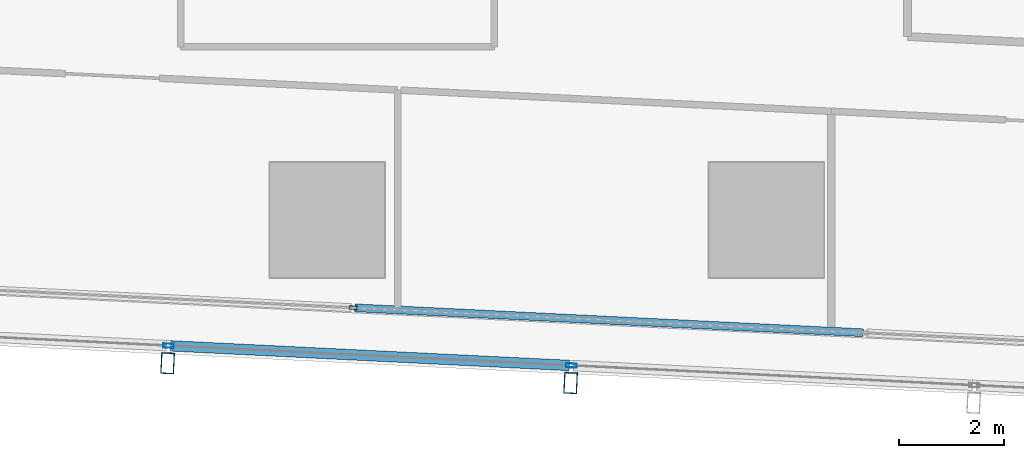
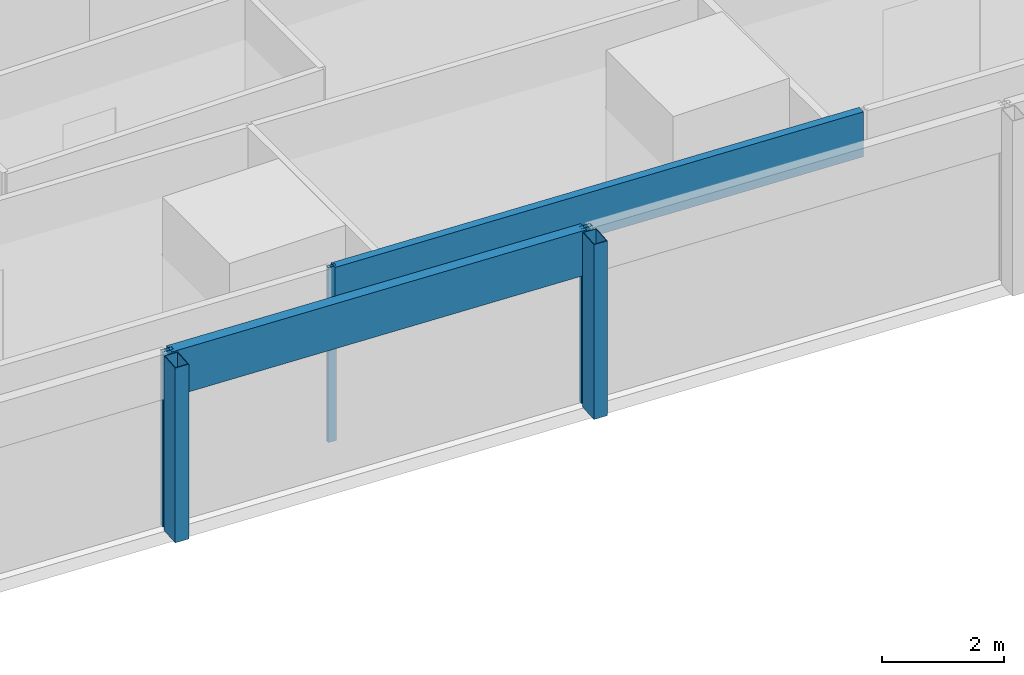
# One storey, part 5 of 45: 7 members, 2 elements without a shape of their own.
"""IFC4 building model written with IfcOpenShell, lengths in metres."""

from ifc_helpers import new_model, si_unit, direction, frame, origin, origin_2d, place, context, subcontext, project, spatial, hollow_rectangle, extrude, material, material_profile, profile_set, type_object, element, aggregate, save


model = new_model("IFC4")

# Units and contexts
model_context = context("Model", 3, precision=1e-05, world=origin(), true_north=direction((0.0, 1.0)))
body_context = subcontext(model_context, "Body", "Model", "MODEL_VIEW")
ifc_project = project(units=[si_unit("LENGTHUNIT", "METRE"), si_unit("AREAUNIT", "SQUARE_METRE"), si_unit("VOLUMEUNIT", "CUBIC_METRE"), si_unit("PLANEANGLEUNIT", "RADIAN"), si_unit("MASSUNIT", "GRAM", prefix="KILO")], contexts=[model_context])

# Site, building, storey
site_placement = place(None, origin())
site = spatial("IfcSite", under=ifc_project, at=site_placement, CompositionType="ELEMENT")
building_placement = place(site_placement, origin())
building = spatial("IfcBuilding", under=site, at=building_placement, Name="Rekha Terrace Tower", CompositionType="ELEMENT")
storey_placement = place(building_placement, frame((0.0, 0.0, 44.14990234375)))
storey = spatial("IfcBuildingStorey", under=building, at=storey_placement, Name="L10", CompositionType="ELEMENT", Elevation=44.14990234375)

# Curtain wall, members
ifc_material_1 = material(Name="Aluminium framing", Category="aluminium")
curtain_wall_type_1 = type_object("IfcCurtainWallType", Name="CW2 double skin outer glazing", PredefinedType="USERDEFINED", material=ifc_material_1)
curtain_wall_1_placement = place(storey_placement, origin())
curtain_wall_1 = element("IfcCurtainWall", 1, at=curtain_wall_1_placement, inside=storey, type_object=curtain_wall_type_1, Name="CW2 double skin outer glazing", ObjectType="DOUBLE SKIN OUTER GLAZING", PredefinedType="USERDEFINED")
ifc_material_2 = material(Name="Steel S355 with fluorocarbon finish", Category="steel")
ifc_material_profile_1 = material_profile(ifc_material_2, hollow_rectangle(XDim=0.25, YDim=0.39990234375, WallThickness=0.012451171875, at=origin_2d()), Name="RHS400x250x12.5")
ifc_profile_set_1 = profile_set([ifc_material_profile_1], Name="Steel S355 with fluorocarbon finish")
member_type_1 = type_object("IfcMemberType", Name="BL1 facade blade RHS 400 x 250", PredefinedType="USERDEFINED", material=ifc_profile_set_1)
member_1_placement = place(storey_placement, frame((22.14990234375, 5.6611328125, 0.0), z_axis=(0.0, 0.0, 1.0), x_axis=(0.998796226835, -0.049051985279, 0.0)))
member_1 = element("IfcMember", 2, at=member_1_placement, type_object=member_type_1, Name="Facade blade", ObjectType="FACADE BLADE", PredefinedType="USERDEFINED", context=body_context, shape_type="SweptSolid", body=[
    extrude(hollow_rectangle(XDim=0.25, YDim=0.39990234375, WallThickness=0.012451171875, at=origin_2d()), origin(), (0.0, 0.0, 1.0), 3.5),
])
member_2_placement = place(storey_placement, frame((29.856201171875, 5.28271484375, 0.0), z_axis=(0.0, 0.0, 1.0), x_axis=(0.998796226835, -0.049051985279, 0.0)))
member_2 = element("IfcMember", 3, at=member_2_placement, type_object=member_type_1, Name="Facade blade", ObjectType="FACADE BLADE", PredefinedType="USERDEFINED", context=body_context, shape_type="SweptSolid", body=[
    extrude(hollow_rectangle(XDim=0.25, YDim=0.39990234375, WallThickness=0.012451171875, at=origin_2d()), origin(), (0.0, 0.0, 1.0), 3.5),
])

curtain_wall_type_2 = type_object("IfcCurtainWallType", Name="CW1 double skin inner glazing", PredefinedType="USERDEFINED", material=ifc_material_1)
curtain_wall_2_placement = place(storey_placement, origin())
curtain_wall_2 = element("IfcCurtainWall", 4, at=curtain_wall_2_placement, inside=storey, type_object=curtain_wall_type_2, Name="CW1 double skin inner glazing", ObjectType="DOUBLE SKIN INNER GLAZING", PredefinedType="USERDEFINED")
ifc_material_3 = material(Name="Aluminium mullion section", Category="aluminium")
ifc_material_profile_2 = material_profile(ifc_material_3, hollow_rectangle(XDim=0.06494140625, YDim=0.14990234375, WallThickness=0.00390625, at=origin_2d()), Name="AL RHS 65x150")
ifc_profile_set_2 = profile_set([ifc_material_profile_2], Name="Aluminium mullion section")
member_type_2 = type_object("IfcMemberType", Name="CW1 mullion RHS 65 x 150", PredefinedType="MULLION", material=ifc_profile_set_2)
member_3_placement = place(storey_placement, frame((25.696044921875, 6.723388671875, 0.0), z_axis=(0.0, 0.0, 1.0), x_axis=(0.049051717746, 0.998796239974, 0.0)))
member_3 = element("IfcMember", 5, at=member_3_placement, type_object=member_type_2, Name="CW1 mullion 2", PredefinedType="MULLION", context=body_context, shape_type="SweptSolid", body=[
    extrude(hollow_rectangle(XDim=0.06494140625, YDim=0.14990234375, WallThickness=0.00390625, at=origin_2d()), origin(), (0.0, 0.0, 1.0), 3.5),
])
ifc_material_4 = material(Name="Insulated aluminium spandrel box", Category="aluminium")
ifc_material_profile_3 = material_profile(ifc_material_4, hollow_rectangle(XDim=0.14990234375, YDim=0.89990234375, WallThickness=0.0029296875, at=origin_2d()), Name="AL SPANDREL BOX 150x900")
ifc_profile_set_3 = profile_set([ifc_material_profile_3], Name="Insulated aluminium spandrel box")
member_type_3 = type_object("IfcMemberType", Name="CW1 spandrel transom 150 x 900", PredefinedType="USERDEFINED", material=ifc_profile_set_3)
member_4_placement = place(storey_placement, frame((25.728515625, 6.721923828125, 3.050048828125), z_axis=(0.998796042167, -0.049055745348, 0.0), x_axis=(0.049055745348, 0.998796042167, 0.0)))
member_4 = element("IfcMember", 6, at=member_4_placement, type_object=member_type_3, Name="CW1 spandrel transom 2", ObjectType="TRANSOM", PredefinedType="USERDEFINED", context=body_context, shape_type="SweptSolid", body=[
    extrude(hollow_rectangle(XDim=0.14990234375, YDim=0.89990234375, WallThickness=0.0029296875, at=origin_2d()), origin(), (0.0, 0.0, 1.0), 9.734619140625),
])
aggregate(curtain_wall_2, [member_3, member_4])

# Member
ifc_material_profile_4 = material_profile(ifc_material_3, hollow_rectangle(XDim=0.080078125, YDim=0.199951171875, WallThickness=0.00390625, at=origin_2d()), Name="AL RHS 80x200")
ifc_profile_set_4 = profile_set([ifc_material_profile_4], Name="Aluminium mullion section")
member_type_4 = type_object("IfcMemberType", Name="CW2 mullion RHS 80 x 200", PredefinedType="MULLION", material=ifc_profile_set_4)
member_5_placement = place(storey_placement, frame((22.166259765625, 5.99560546875, 0.0), z_axis=(0.0, 0.0, 1.0), x_axis=(0.049051717746, 0.998796239974, 0.0)))
member_5 = element("IfcMember", 7, at=member_5_placement, type_object=member_type_4, Name="CW2 mullion 3", PredefinedType="MULLION", context=body_context, shape_type="SweptSolid", body=[
    extrude(hollow_rectangle(XDim=0.080078125, YDim=0.199951171875, WallThickness=0.00390625, at=origin_2d()), origin(), (0.0, 0.0, 1.0), 3.5),
])

member_6_placement = place(storey_placement, frame((29.872802734375, 5.6171875, 0.0), z_axis=(0.0, 0.0, 1.0), x_axis=(0.049051717746, 0.998796239974, 0.0)))
member_6 = element("IfcMember", 8, at=member_6_placement, type_object=member_type_4, Name="CW2 mullion 4", PredefinedType="MULLION", context=body_context, shape_type="SweptSolid", body=[
    extrude(hollow_rectangle(XDim=0.080078125, YDim=0.199951171875, WallThickness=0.00390625, at=origin_2d()), origin(), (0.0, 0.0, 1.0), 3.5),
])

ifc_material_profile_5 = material_profile(ifc_material_4, hollow_rectangle(XDim=0.199951171875, YDim=0.89990234375, WallThickness=0.0029296875, at=origin_2d()), Name="AL SPANDREL BOX 200x900")
ifc_profile_set_5 = profile_set([ifc_material_profile_5], Name="Insulated aluminium spandrel box")
member_type_5 = type_object("IfcMemberType", Name="CW2 spandrel transom 200 x 900", PredefinedType="USERDEFINED", material=ifc_profile_set_5)
member_7_placement = place(storey_placement, frame((22.206298828125, 5.99365234375, 3.050048828125), z_axis=(0.998796434643, -0.049047753721, 0.0), x_axis=(0.049047753721, 0.998796434643, 0.0)))
member_7 = element("IfcMember", 9, at=member_7_placement, type_object=member_type_5, Name="CW2 spandrel transom 3", ObjectType="TRANSOM", PredefinedType="USERDEFINED", context=body_context, shape_type="SweptSolid", body=[
    extrude(hollow_rectangle(XDim=0.199951171875, YDim=0.89990234375, WallThickness=0.0029296875, at=origin_2d()), origin(), (0.0, 0.0, 1.0), 7.6357421875),
])

aggregate(curtain_wall_1, [member_5, member_6, member_7, member_1, member_2])

save(model, "model.ifc")
